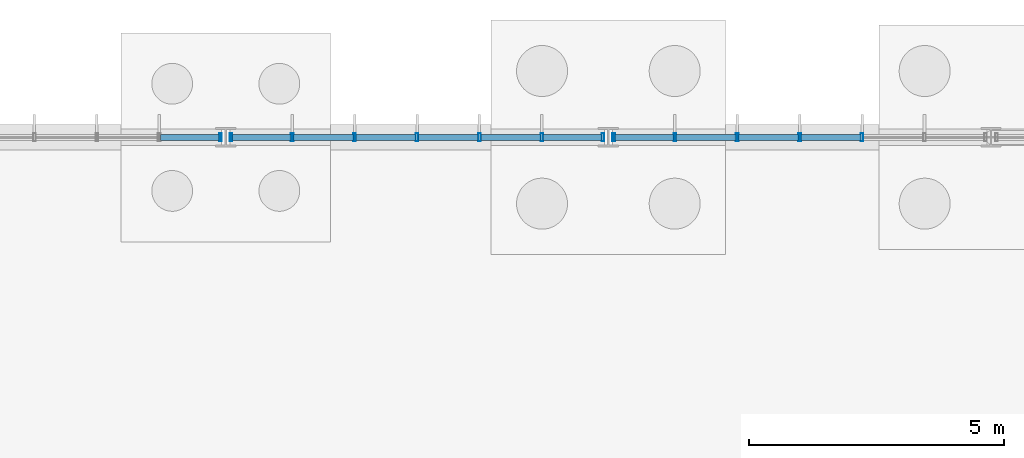
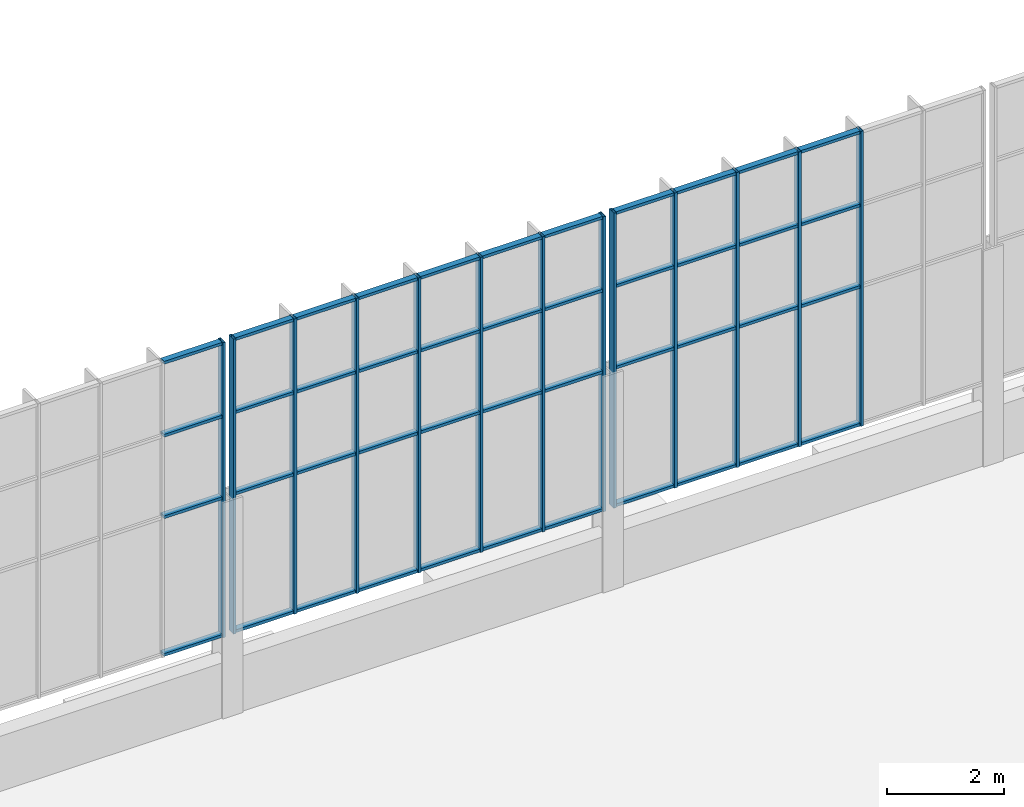
# One storey, part 79 of 136: 57 members, 3 elements without a shape of their own.
"""IFC4 building model written with IfcOpenShell, lengths in metres."""

from ifc_helpers import new_model, si_unit, direction, frame, origin, origin_2d, place, context, subcontext, project, spatial, hollow_rectangle, extrude, material, layer, layer_set, material_profile, profile_set, type_object, element, aggregate, save


model = new_model("IFC4")

# Units and contexts
model_context = context("Model", 3, precision=1e-05, world=origin(), true_north=direction((0.0, 1.0)))
body_context = subcontext(model_context, "Body", "Model", "MODEL_VIEW")
ifc_project = project(units=[si_unit("LENGTHUNIT", "METRE"), si_unit("AREAUNIT", "SQUARE_METRE"), si_unit("VOLUMEUNIT", "CUBIC_METRE"), si_unit("PLANEANGLEUNIT", "RADIAN"), si_unit("MASSUNIT", "GRAM", prefix="KILO")], contexts=[model_context])

# Site, building, storey
site_placement = place(None, origin())
site = spatial("IfcSite", under=ifc_project, at=site_placement, CompositionType="ELEMENT")
building_placement = place(site_placement, origin())
building = spatial("IfcBuilding", under=site, at=building_placement, Name="Solvenia Promenade Tram Depot", CompositionType="ELEMENT")
storey_placement = place(building_placement, origin())
storey = spatial("IfcBuildingStorey", under=building, at=storey_placement, Name="L00", CompositionType="ELEMENT", Elevation=0.0)

# Curtain wall, member
ifc_material = material(Name="Anodized aluminium AW-6063 T6", Category="aluminium")
ifc_layer = layer(ifc_material, 0.159912109375, Name="Anodized aluminium AW-6063 T6", Category="aluminium")
ifc_layer_set = layer_set([ifc_layer], Name="Anodized aluminium AW-6063 T6")
curtain_wall_type = type_object("IfcCurtainWallType", Name="CW-Channel-1200", PredefinedType="NOTDEFINED", material=ifc_layer_set)
curtain_wall_1_placement = place(storey_placement, origin())
curtain_wall_1 = element("IfcCurtainWall", 1, at=curtain_wall_1_placement, inside=storey, type_object=curtain_wall_type, Name="North Translucent Channel-Glass Wall 17", PredefinedType="NOTDEFINED")
ifc_material_profile_1 = material_profile(ifc_material, hollow_rectangle(XDim=0.159912109375, YDim=0.052001953125, WallThickness=0.00390625, at=origin_2d()), Name="ALU-M1", Category="aluminium")
ifc_profile_set_1 = profile_set([ifc_material_profile_1], Name="Anodized aluminium AW-6063 T6")
member_type_1 = type_object("IfcMemberType", Name="CWM-Mullion-1", PredefinedType="MULLION", material=ifc_profile_set_1)
member_1_placement = place(storey_placement, frame((127.39404296875, 126.0, 1.60009765625), z_axis=(0.0, 0.0, 1.0), x_axis=(0.0, 1.0, 0.0)))
member_1 = element("IfcMember", 2, at=member_1_placement, type_object=member_type_1, Name="CW-1 mullion 7", PredefinedType="MULLION", context=body_context, shape_type="SweptSolid", body=[
    extrude(hollow_rectangle(XDim=0.159912109375, YDim=0.052001953125, WallThickness=0.00390625, at=origin_2d()), origin(), (0.0, 0.0, 1.0), 6.14990234375),
])

# Curtain wall, members
curtain_wall_2_placement = place(storey_placement, origin())
curtain_wall_2 = element("IfcCurtainWall", 3, at=curtain_wall_2_placement, inside=storey, type_object=curtain_wall_type, Name="North Translucent Channel-Glass Wall 18", PredefinedType="NOTDEFINED")
member_2_placement = place(storey_placement, frame((127.60595703125, 126.0, 1.60009765625), z_axis=(0.0, 0.0, 1.0), x_axis=(0.0, 1.0, 0.0)))
member_2 = element("IfcMember", 4, at=member_2_placement, type_object=member_type_1, Name="CW-1 mullion 1", PredefinedType="MULLION", context=body_context, shape_type="SweptSolid", body=[
    extrude(hollow_rectangle(XDim=0.159912109375, YDim=0.052001953125, WallThickness=0.00390625, at=origin_2d()), origin(), (0.0, 0.0, 1.0), 6.14990234375),
])
member_3_placement = place(storey_placement, frame((128.80322265625, 126.0, 1.60009765625), z_axis=(0.0, 0.0, 1.0), x_axis=(0.0, 1.0, 0.0)))
member_3 = element("IfcMember", 5, at=member_3_placement, type_object=member_type_1, Name="CW-1 mullion 2", PredefinedType="MULLION", context=body_context, shape_type="SweptSolid", body=[
    extrude(hollow_rectangle(XDim=0.159912109375, YDim=0.052001953125, WallThickness=0.00390625, at=origin_2d()), origin(), (0.0, 0.0, 1.0), 6.14990234375),
])
member_4_placement = place(storey_placement, frame((130.026611328125, 126.0, 1.60009765625), z_axis=(0.0, 0.0, 1.0), x_axis=(0.0, 1.0, 0.0)))
member_4 = element("IfcMember", 6, at=member_4_placement, type_object=member_type_1, Name="CW-1 mullion 3", PredefinedType="MULLION", context=body_context, shape_type="SweptSolid", body=[
    extrude(hollow_rectangle(XDim=0.159912109375, YDim=0.052001953125, WallThickness=0.00390625, at=origin_2d()), origin(), (0.0, 0.0, 1.0), 6.14990234375),
])
member_5_placement = place(storey_placement, frame((131.25, 126.0, 1.60009765625), z_axis=(0.0, 0.0, 1.0), x_axis=(0.0, 1.0, 0.0)))
member_5 = element("IfcMember", 7, at=member_5_placement, type_object=member_type_1, Name="CW-1 mullion 4", PredefinedType="MULLION", context=body_context, shape_type="SweptSolid", body=[
    extrude(hollow_rectangle(XDim=0.159912109375, YDim=0.052001953125, WallThickness=0.00390625, at=origin_2d()), origin(), (0.0, 0.0, 1.0), 6.14990234375),
])
member_6_placement = place(storey_placement, frame((132.473388671875, 126.0, 1.60009765625), z_axis=(0.0, 0.0, 1.0), x_axis=(0.0, 1.0, 0.0)))
member_6 = element("IfcMember", 8, at=member_6_placement, type_object=member_type_1, Name="CW-1 mullion 5", PredefinedType="MULLION", context=body_context, shape_type="SweptSolid", body=[
    extrude(hollow_rectangle(XDim=0.159912109375, YDim=0.052001953125, WallThickness=0.00390625, at=origin_2d()), origin(), (0.0, 0.0, 1.0), 6.14990234375),
])
member_7_placement = place(storey_placement, frame((133.69677734375, 126.0, 1.60009765625), z_axis=(0.0, 0.0, 1.0), x_axis=(0.0, 1.0, 0.0)))
member_7 = element("IfcMember", 9, at=member_7_placement, type_object=member_type_1, Name="CW-1 mullion 6", PredefinedType="MULLION", context=body_context, shape_type="SweptSolid", body=[
    extrude(hollow_rectangle(XDim=0.159912109375, YDim=0.052001953125, WallThickness=0.00390625, at=origin_2d()), origin(), (0.0, 0.0, 1.0), 6.14990234375),
])
member_8_placement = place(storey_placement, frame((134.89404296875, 126.0, 1.60009765625), z_axis=(0.0, 0.0, 1.0), x_axis=(0.0, 1.0, 0.0)))
member_8 = element("IfcMember", 10, at=member_8_placement, type_object=member_type_1, Name="CW-1 mullion 7", PredefinedType="MULLION", context=body_context, shape_type="SweptSolid", body=[
    extrude(hollow_rectangle(XDim=0.159912109375, YDim=0.052001953125, WallThickness=0.00390625, at=origin_2d()), origin(), (0.0, 0.0, 1.0), 6.14990234375),
])

curtain_wall_3_placement = place(storey_placement, origin())
curtain_wall_3 = element("IfcCurtainWall", 11, at=curtain_wall_3_placement, inside=storey, type_object=curtain_wall_type, Name="North Translucent Channel-Glass Wall 19", PredefinedType="NOTDEFINED")
member_9_placement = place(storey_placement, frame((135.10595703125, 126.0, 1.60009765625), z_axis=(0.0, 0.0, 1.0), x_axis=(0.0, 1.0, 0.0)))
member_9 = element("IfcMember", 12, at=member_9_placement, type_object=member_type_1, Name="CW-1 mullion 1", PredefinedType="MULLION", context=body_context, shape_type="SweptSolid", body=[
    extrude(hollow_rectangle(XDim=0.159912109375, YDim=0.052001953125, WallThickness=0.00390625, at=origin_2d()), origin(), (0.0, 0.0, 1.0), 6.14990234375),
])
member_10_placement = place(storey_placement, frame((136.30322265625, 126.0, 1.60009765625), z_axis=(0.0, 0.0, 1.0), x_axis=(0.0, 1.0, 0.0)))
member_10 = element("IfcMember", 13, at=member_10_placement, type_object=member_type_1, Name="CW-1 mullion 2", PredefinedType="MULLION", context=body_context, shape_type="SweptSolid", body=[
    extrude(hollow_rectangle(XDim=0.159912109375, YDim=0.052001953125, WallThickness=0.00390625, at=origin_2d()), origin(), (0.0, 0.0, 1.0), 6.14990234375),
])
member_11_placement = place(storey_placement, frame((137.526611328125, 126.0, 1.60009765625), z_axis=(0.0, 0.0, 1.0), x_axis=(0.0, 1.0, 0.0)))
member_11 = element("IfcMember", 14, at=member_11_placement, type_object=member_type_1, Name="CW-1 mullion 3", PredefinedType="MULLION", context=body_context, shape_type="SweptSolid", body=[
    extrude(hollow_rectangle(XDim=0.159912109375, YDim=0.052001953125, WallThickness=0.00390625, at=origin_2d()), origin(), (0.0, 0.0, 1.0), 6.14990234375),
])
member_12_placement = place(storey_placement, frame((138.75, 126.0, 1.60009765625), z_axis=(0.0, 0.0, 1.0), x_axis=(0.0, 1.0, 0.0)))
member_12 = element("IfcMember", 15, at=member_12_placement, type_object=member_type_1, Name="CW-1 mullion 4", PredefinedType="MULLION", context=body_context, shape_type="SweptSolid", body=[
    extrude(hollow_rectangle(XDim=0.159912109375, YDim=0.052001953125, WallThickness=0.00390625, at=origin_2d()), origin(), (0.0, 0.0, 1.0), 6.14990234375),
])
member_13_placement = place(storey_placement, frame((139.973388671875, 126.0, 1.60009765625), z_axis=(0.0, 0.0, 1.0), x_axis=(0.0, 1.0, 0.0)))
member_13 = element("IfcMember", 16, at=member_13_placement, type_object=member_type_1, Name="CW-1 mullion 5", PredefinedType="MULLION", context=body_context, shape_type="SweptSolid", body=[
    extrude(hollow_rectangle(XDim=0.159912109375, YDim=0.052001953125, WallThickness=0.00390625, at=origin_2d()), origin(), (0.0, 0.0, 1.0), 6.14990234375),
])

# Member
ifc_material_profile_2 = material_profile(ifc_material, hollow_rectangle(XDim=0.1201171875, YDim=0.06005859375, WallThickness=0.00390625, at=origin_2d()), Name="ALU-T1", Category="aluminium")
ifc_profile_set_2 = profile_set([ifc_material_profile_2], Name="Anodized aluminium AW-6063 T6")
member_type_2 = type_object("IfcMemberType", Name="CWT-Transom-1", PredefinedType="USERDEFINED", material=ifc_profile_set_2)
member_14_placement = place(storey_placement, frame((126.22265625, 126.0, 1.6298828125), z_axis=(1.0, 0.0, 0.0), x_axis=(0.0, 1.0, 0.0)))
member_14 = element("IfcMember", 17, at=member_14_placement, type_object=member_type_2, Name="CW-1 transom 6.1", ObjectType="TRANSOM", PredefinedType="USERDEFINED", context=body_context, shape_type="SweptSolid", body=[
    extrude(hollow_rectangle(XDim=0.1201171875, YDim=0.06005859375, WallThickness=0.00390625, at=origin_2d()), origin(), (0.0, 0.0, 1.0), 1.145263671875),
])

member_15_placement = place(storey_placement, frame((126.22265625, 126.0, 4.5), z_axis=(1.0, 0.0, 0.0), x_axis=(0.0, 1.0, 0.0)))
member_15 = element("IfcMember", 18, at=member_15_placement, type_object=member_type_2, Name="CW-1 transom 6.2", ObjectType="TRANSOM", PredefinedType="USERDEFINED", context=body_context, shape_type="SweptSolid", body=[
    extrude(hollow_rectangle(XDim=0.1201171875, YDim=0.06005859375, WallThickness=0.00390625, at=origin_2d()), origin(), (0.0, 0.0, 1.0), 1.145263671875),
])

member_16_placement = place(storey_placement, frame((126.22265625, 126.0, 6.199951171875), z_axis=(1.0, 0.0, 0.0), x_axis=(0.0, 1.0, 0.0)))
member_16 = element("IfcMember", 19, at=member_16_placement, type_object=member_type_2, Name="CW-1 transom 6.3", ObjectType="TRANSOM", PredefinedType="USERDEFINED", context=body_context, shape_type="SweptSolid", body=[
    extrude(hollow_rectangle(XDim=0.1201171875, YDim=0.06005859375, WallThickness=0.00390625, at=origin_2d()), origin(), (0.0, 0.0, 1.0), 1.145263671875),
])

member_17_placement = place(storey_placement, frame((126.22265625, 126.0, 7.719970703125), z_axis=(1.0, 0.0, 0.0), x_axis=(0.0, 1.0, 0.0)))
member_17 = element("IfcMember", 20, at=member_17_placement, type_object=member_type_2, Name="CW-1 transom 6.4", ObjectType="TRANSOM", PredefinedType="USERDEFINED", context=body_context, shape_type="SweptSolid", body=[
    extrude(hollow_rectangle(XDim=0.1201171875, YDim=0.06005859375, WallThickness=0.00390625, at=origin_2d()), origin(), (0.0, 0.0, 1.0), 1.145263671875),
])

aggregate(curtain_wall_1, [member_1, member_14, member_15, member_16, member_17])

member_18_placement = place(storey_placement, frame((127.632080078125, 126.0, 1.6298828125), z_axis=(1.0, 0.0, 0.0), x_axis=(0.0, 1.0, 0.0)))
member_18 = element("IfcMember", 21, at=member_18_placement, type_object=member_type_2, Name="CW-1 transom 1.1", ObjectType="TRANSOM", PredefinedType="USERDEFINED", context=body_context, shape_type="SweptSolid", body=[
    extrude(hollow_rectangle(XDim=0.1201171875, YDim=0.06005859375, WallThickness=0.00390625, at=origin_2d()), origin(), (0.0, 0.0, 1.0), 1.145263671875),
])

member_19_placement = place(storey_placement, frame((127.632080078125, 126.0, 4.5), z_axis=(1.0, 0.0, 0.0), x_axis=(0.0, 1.0, 0.0)))
member_19 = element("IfcMember", 22, at=member_19_placement, type_object=member_type_2, Name="CW-1 transom 1.2", ObjectType="TRANSOM", PredefinedType="USERDEFINED", context=body_context, shape_type="SweptSolid", body=[
    extrude(hollow_rectangle(XDim=0.1201171875, YDim=0.06005859375, WallThickness=0.00390625, at=origin_2d()), origin(), (0.0, 0.0, 1.0), 1.145263671875),
])

member_20_placement = place(storey_placement, frame((127.632080078125, 126.0, 6.199951171875), z_axis=(1.0, 0.0, 0.0), x_axis=(0.0, 1.0, 0.0)))
member_20 = element("IfcMember", 23, at=member_20_placement, type_object=member_type_2, Name="CW-1 transom 1.3", ObjectType="TRANSOM", PredefinedType="USERDEFINED", context=body_context, shape_type="SweptSolid", body=[
    extrude(hollow_rectangle(XDim=0.1201171875, YDim=0.06005859375, WallThickness=0.00390625, at=origin_2d()), origin(), (0.0, 0.0, 1.0), 1.145263671875),
])

member_21_placement = place(storey_placement, frame((127.632080078125, 126.0, 7.719970703125), z_axis=(1.0, 0.0, 0.0), x_axis=(0.0, 1.0, 0.0)))
member_21 = element("IfcMember", 24, at=member_21_placement, type_object=member_type_2, Name="CW-1 transom 1.4", ObjectType="TRANSOM", PredefinedType="USERDEFINED", context=body_context, shape_type="SweptSolid", body=[
    extrude(hollow_rectangle(XDim=0.1201171875, YDim=0.06005859375, WallThickness=0.00390625, at=origin_2d()), origin(), (0.0, 0.0, 1.0), 1.145263671875),
])

member_22_placement = place(storey_placement, frame((128.829345703125, 126.0, 1.6298828125), z_axis=(1.0, 0.0, 0.0), x_axis=(0.0, 1.0, 0.0)))
member_22 = element("IfcMember", 25, at=member_22_placement, type_object=member_type_2, Name="CW-1 transom 2.1", ObjectType="TRANSOM", PredefinedType="USERDEFINED", context=body_context, shape_type="SweptSolid", body=[
    extrude(hollow_rectangle(XDim=0.1201171875, YDim=0.06005859375, WallThickness=0.00390625, at=origin_2d()), origin(), (0.0, 0.0, 1.0), 1.17138671875),
])

member_23_placement = place(storey_placement, frame((128.829345703125, 126.0, 4.5), z_axis=(1.0, 0.0, 0.0), x_axis=(0.0, 1.0, 0.0)))
member_23 = element("IfcMember", 26, at=member_23_placement, type_object=member_type_2, Name="CW-1 transom 2.2", ObjectType="TRANSOM", PredefinedType="USERDEFINED", context=body_context, shape_type="SweptSolid", body=[
    extrude(hollow_rectangle(XDim=0.1201171875, YDim=0.06005859375, WallThickness=0.00390625, at=origin_2d()), origin(), (0.0, 0.0, 1.0), 1.17138671875),
])

member_24_placement = place(storey_placement, frame((128.829345703125, 126.0, 6.199951171875), z_axis=(1.0, 0.0, 0.0), x_axis=(0.0, 1.0, 0.0)))
member_24 = element("IfcMember", 27, at=member_24_placement, type_object=member_type_2, Name="CW-1 transom 2.3", ObjectType="TRANSOM", PredefinedType="USERDEFINED", context=body_context, shape_type="SweptSolid", body=[
    extrude(hollow_rectangle(XDim=0.1201171875, YDim=0.06005859375, WallThickness=0.00390625, at=origin_2d()), origin(), (0.0, 0.0, 1.0), 1.17138671875),
])

member_25_placement = place(storey_placement, frame((128.829345703125, 126.0, 7.719970703125), z_axis=(1.0, 0.0, 0.0), x_axis=(0.0, 1.0, 0.0)))
member_25 = element("IfcMember", 28, at=member_25_placement, type_object=member_type_2, Name="CW-1 transom 2.4", ObjectType="TRANSOM", PredefinedType="USERDEFINED", context=body_context, shape_type="SweptSolid", body=[
    extrude(hollow_rectangle(XDim=0.1201171875, YDim=0.06005859375, WallThickness=0.00390625, at=origin_2d()), origin(), (0.0, 0.0, 1.0), 1.17138671875),
])

member_26_placement = place(storey_placement, frame((130.052734375, 126.0, 1.6298828125), z_axis=(1.0, 0.0, 0.0), x_axis=(0.0, 1.0, 0.0)))
member_26 = element("IfcMember", 29, at=member_26_placement, type_object=member_type_2, Name="CW-1 transom 3.1", ObjectType="TRANSOM", PredefinedType="USERDEFINED", context=body_context, shape_type="SweptSolid", body=[
    extrude(hollow_rectangle(XDim=0.1201171875, YDim=0.06005859375, WallThickness=0.00390625, at=origin_2d()), origin(), (0.0, 0.0, 1.0), 1.17138671875),
])

member_27_placement = place(storey_placement, frame((130.052734375, 126.0, 4.5), z_axis=(1.0, 0.0, 0.0), x_axis=(0.0, 1.0, 0.0)))
member_27 = element("IfcMember", 30, at=member_27_placement, type_object=member_type_2, Name="CW-1 transom 3.2", ObjectType="TRANSOM", PredefinedType="USERDEFINED", context=body_context, shape_type="SweptSolid", body=[
    extrude(hollow_rectangle(XDim=0.1201171875, YDim=0.06005859375, WallThickness=0.00390625, at=origin_2d()), origin(), (0.0, 0.0, 1.0), 1.17138671875),
])

member_28_placement = place(storey_placement, frame((130.052734375, 126.0, 6.199951171875), z_axis=(1.0, 0.0, 0.0), x_axis=(0.0, 1.0, 0.0)))
member_28 = element("IfcMember", 31, at=member_28_placement, type_object=member_type_2, Name="CW-1 transom 3.3", ObjectType="TRANSOM", PredefinedType="USERDEFINED", context=body_context, shape_type="SweptSolid", body=[
    extrude(hollow_rectangle(XDim=0.1201171875, YDim=0.06005859375, WallThickness=0.00390625, at=origin_2d()), origin(), (0.0, 0.0, 1.0), 1.17138671875),
])

member_29_placement = place(storey_placement, frame((130.052734375, 126.0, 7.719970703125), z_axis=(1.0, 0.0, 0.0), x_axis=(0.0, 1.0, 0.0)))
member_29 = element("IfcMember", 32, at=member_29_placement, type_object=member_type_2, Name="CW-1 transom 3.4", ObjectType="TRANSOM", PredefinedType="USERDEFINED", context=body_context, shape_type="SweptSolid", body=[
    extrude(hollow_rectangle(XDim=0.1201171875, YDim=0.06005859375, WallThickness=0.00390625, at=origin_2d()), origin(), (0.0, 0.0, 1.0), 1.17138671875),
])

member_30_placement = place(storey_placement, frame((131.27587890625, 126.0, 1.6298828125), z_axis=(1.0, 0.0, 0.0), x_axis=(0.0, 1.0, 0.0)))
member_30 = element("IfcMember", 33, at=member_30_placement, type_object=member_type_2, Name="CW-1 transom 4.1", ObjectType="TRANSOM", PredefinedType="USERDEFINED", context=body_context, shape_type="SweptSolid", body=[
    extrude(hollow_rectangle(XDim=0.1201171875, YDim=0.06005859375, WallThickness=0.00390625, at=origin_2d()), origin(), (0.0, 0.0, 1.0), 1.17138671875),
])

member_31_placement = place(storey_placement, frame((131.27587890625, 126.0, 4.5), z_axis=(1.0, 0.0, 0.0), x_axis=(0.0, 1.0, 0.0)))
member_31 = element("IfcMember", 34, at=member_31_placement, type_object=member_type_2, Name="CW-1 transom 4.2", ObjectType="TRANSOM", PredefinedType="USERDEFINED", context=body_context, shape_type="SweptSolid", body=[
    extrude(hollow_rectangle(XDim=0.1201171875, YDim=0.06005859375, WallThickness=0.00390625, at=origin_2d()), origin(), (0.0, 0.0, 1.0), 1.17138671875),
])

member_32_placement = place(storey_placement, frame((131.27587890625, 126.0, 6.199951171875), z_axis=(1.0, 0.0, 0.0), x_axis=(0.0, 1.0, 0.0)))
member_32 = element("IfcMember", 35, at=member_32_placement, type_object=member_type_2, Name="CW-1 transom 4.3", ObjectType="TRANSOM", PredefinedType="USERDEFINED", context=body_context, shape_type="SweptSolid", body=[
    extrude(hollow_rectangle(XDim=0.1201171875, YDim=0.06005859375, WallThickness=0.00390625, at=origin_2d()), origin(), (0.0, 0.0, 1.0), 1.17138671875),
])

member_33_placement = place(storey_placement, frame((131.27587890625, 126.0, 7.719970703125), z_axis=(1.0, 0.0, 0.0), x_axis=(0.0, 1.0, 0.0)))
member_33 = element("IfcMember", 36, at=member_33_placement, type_object=member_type_2, Name="CW-1 transom 4.4", ObjectType="TRANSOM", PredefinedType="USERDEFINED", context=body_context, shape_type="SweptSolid", body=[
    extrude(hollow_rectangle(XDim=0.1201171875, YDim=0.06005859375, WallThickness=0.00390625, at=origin_2d()), origin(), (0.0, 0.0, 1.0), 1.17138671875),
])

member_34_placement = place(storey_placement, frame((132.499267578125, 126.0, 1.6298828125), z_axis=(1.0, 0.0, 0.0), x_axis=(0.0, 1.0, 0.0)))
member_34 = element("IfcMember", 37, at=member_34_placement, type_object=member_type_2, Name="CW-1 transom 5.1", ObjectType="TRANSOM", PredefinedType="USERDEFINED", context=body_context, shape_type="SweptSolid", body=[
    extrude(hollow_rectangle(XDim=0.1201171875, YDim=0.06005859375, WallThickness=0.00390625, at=origin_2d()), origin(), (0.0, 0.0, 1.0), 1.17138671875),
])

member_35_placement = place(storey_placement, frame((132.499267578125, 126.0, 4.5), z_axis=(1.0, 0.0, 0.0), x_axis=(0.0, 1.0, 0.0)))
member_35 = element("IfcMember", 38, at=member_35_placement, type_object=member_type_2, Name="CW-1 transom 5.2", ObjectType="TRANSOM", PredefinedType="USERDEFINED", context=body_context, shape_type="SweptSolid", body=[
    extrude(hollow_rectangle(XDim=0.1201171875, YDim=0.06005859375, WallThickness=0.00390625, at=origin_2d()), origin(), (0.0, 0.0, 1.0), 1.17138671875),
])

member_36_placement = place(storey_placement, frame((132.499267578125, 126.0, 6.199951171875), z_axis=(1.0, 0.0, 0.0), x_axis=(0.0, 1.0, 0.0)))
member_36 = element("IfcMember", 39, at=member_36_placement, type_object=member_type_2, Name="CW-1 transom 5.3", ObjectType="TRANSOM", PredefinedType="USERDEFINED", context=body_context, shape_type="SweptSolid", body=[
    extrude(hollow_rectangle(XDim=0.1201171875, YDim=0.06005859375, WallThickness=0.00390625, at=origin_2d()), origin(), (0.0, 0.0, 1.0), 1.17138671875),
])

member_37_placement = place(storey_placement, frame((132.499267578125, 126.0, 7.719970703125), z_axis=(1.0, 0.0, 0.0), x_axis=(0.0, 1.0, 0.0)))
member_37 = element("IfcMember", 40, at=member_37_placement, type_object=member_type_2, Name="CW-1 transom 5.4", ObjectType="TRANSOM", PredefinedType="USERDEFINED", context=body_context, shape_type="SweptSolid", body=[
    extrude(hollow_rectangle(XDim=0.1201171875, YDim=0.06005859375, WallThickness=0.00390625, at=origin_2d()), origin(), (0.0, 0.0, 1.0), 1.17138671875),
])

member_38_placement = place(storey_placement, frame((133.72265625, 126.0, 1.6298828125), z_axis=(1.0, 0.0, 0.0), x_axis=(0.0, 1.0, 0.0)))
member_38 = element("IfcMember", 41, at=member_38_placement, type_object=member_type_2, Name="CW-1 transom 6.1", ObjectType="TRANSOM", PredefinedType="USERDEFINED", context=body_context, shape_type="SweptSolid", body=[
    extrude(hollow_rectangle(XDim=0.1201171875, YDim=0.06005859375, WallThickness=0.00390625, at=origin_2d()), origin(), (0.0, 0.0, 1.0), 1.145263671875),
])

member_39_placement = place(storey_placement, frame((133.72265625, 126.0, 4.5), z_axis=(1.0, 0.0, 0.0), x_axis=(0.0, 1.0, 0.0)))
member_39 = element("IfcMember", 42, at=member_39_placement, type_object=member_type_2, Name="CW-1 transom 6.2", ObjectType="TRANSOM", PredefinedType="USERDEFINED", context=body_context, shape_type="SweptSolid", body=[
    extrude(hollow_rectangle(XDim=0.1201171875, YDim=0.06005859375, WallThickness=0.00390625, at=origin_2d()), origin(), (0.0, 0.0, 1.0), 1.145263671875),
])

member_40_placement = place(storey_placement, frame((133.72265625, 126.0, 6.199951171875), z_axis=(1.0, 0.0, 0.0), x_axis=(0.0, 1.0, 0.0)))
member_40 = element("IfcMember", 43, at=member_40_placement, type_object=member_type_2, Name="CW-1 transom 6.3", ObjectType="TRANSOM", PredefinedType="USERDEFINED", context=body_context, shape_type="SweptSolid", body=[
    extrude(hollow_rectangle(XDim=0.1201171875, YDim=0.06005859375, WallThickness=0.00390625, at=origin_2d()), origin(), (0.0, 0.0, 1.0), 1.145263671875),
])

member_41_placement = place(storey_placement, frame((133.72265625, 126.0, 7.719970703125), z_axis=(1.0, 0.0, 0.0), x_axis=(0.0, 1.0, 0.0)))
member_41 = element("IfcMember", 44, at=member_41_placement, type_object=member_type_2, Name="CW-1 transom 6.4", ObjectType="TRANSOM", PredefinedType="USERDEFINED", context=body_context, shape_type="SweptSolid", body=[
    extrude(hollow_rectangle(XDim=0.1201171875, YDim=0.06005859375, WallThickness=0.00390625, at=origin_2d()), origin(), (0.0, 0.0, 1.0), 1.145263671875),
])

aggregate(curtain_wall_2, [member_2, member_3, member_4, member_5, member_6, member_7, member_8, member_18, member_19, member_20, member_21, member_22, member_23, member_24, member_25, member_26, member_27, member_28, member_29, member_30, member_31, member_32, member_33, member_34, member_35, member_36, member_37, member_38, member_39, member_40, member_41])

member_42_placement = place(storey_placement, frame((135.132080078125, 126.0, 1.6298828125), z_axis=(1.0, 0.0, 0.0), x_axis=(0.0, 1.0, 0.0)))
member_42 = element("IfcMember", 45, at=member_42_placement, type_object=member_type_2, Name="CW-1 transom 1.1", ObjectType="TRANSOM", PredefinedType="USERDEFINED", context=body_context, shape_type="SweptSolid", body=[
    extrude(hollow_rectangle(XDim=0.1201171875, YDim=0.06005859375, WallThickness=0.00390625, at=origin_2d()), origin(), (0.0, 0.0, 1.0), 1.145263671875),
])

member_43_placement = place(storey_placement, frame((135.132080078125, 126.0, 4.5), z_axis=(1.0, 0.0, 0.0), x_axis=(0.0, 1.0, 0.0)))
member_43 = element("IfcMember", 46, at=member_43_placement, type_object=member_type_2, Name="CW-1 transom 1.2", ObjectType="TRANSOM", PredefinedType="USERDEFINED", context=body_context, shape_type="SweptSolid", body=[
    extrude(hollow_rectangle(XDim=0.1201171875, YDim=0.06005859375, WallThickness=0.00390625, at=origin_2d()), origin(), (0.0, 0.0, 1.0), 1.145263671875),
])

member_44_placement = place(storey_placement, frame((135.132080078125, 126.0, 6.199951171875), z_axis=(1.0, 0.0, 0.0), x_axis=(0.0, 1.0, 0.0)))
member_44 = element("IfcMember", 47, at=member_44_placement, type_object=member_type_2, Name="CW-1 transom 1.3", ObjectType="TRANSOM", PredefinedType="USERDEFINED", context=body_context, shape_type="SweptSolid", body=[
    extrude(hollow_rectangle(XDim=0.1201171875, YDim=0.06005859375, WallThickness=0.00390625, at=origin_2d()), origin(), (0.0, 0.0, 1.0), 1.145263671875),
])

member_45_placement = place(storey_placement, frame((135.132080078125, 126.0, 7.719970703125), z_axis=(1.0, 0.0, 0.0), x_axis=(0.0, 1.0, 0.0)))
member_45 = element("IfcMember", 48, at=member_45_placement, type_object=member_type_2, Name="CW-1 transom 1.4", ObjectType="TRANSOM", PredefinedType="USERDEFINED", context=body_context, shape_type="SweptSolid", body=[
    extrude(hollow_rectangle(XDim=0.1201171875, YDim=0.06005859375, WallThickness=0.00390625, at=origin_2d()), origin(), (0.0, 0.0, 1.0), 1.145263671875),
])

member_46_placement = place(storey_placement, frame((136.329345703125, 126.0, 1.6298828125), z_axis=(1.0, 0.0, 0.0), x_axis=(0.0, 1.0, 0.0)))
member_46 = element("IfcMember", 49, at=member_46_placement, type_object=member_type_2, Name="CW-1 transom 2.1", ObjectType="TRANSOM", PredefinedType="USERDEFINED", context=body_context, shape_type="SweptSolid", body=[
    extrude(hollow_rectangle(XDim=0.1201171875, YDim=0.06005859375, WallThickness=0.00390625, at=origin_2d()), origin(), (0.0, 0.0, 1.0), 1.17138671875),
])

member_47_placement = place(storey_placement, frame((136.329345703125, 126.0, 4.5), z_axis=(1.0, 0.0, 0.0), x_axis=(0.0, 1.0, 0.0)))
member_47 = element("IfcMember", 50, at=member_47_placement, type_object=member_type_2, Name="CW-1 transom 2.2", ObjectType="TRANSOM", PredefinedType="USERDEFINED", context=body_context, shape_type="SweptSolid", body=[
    extrude(hollow_rectangle(XDim=0.1201171875, YDim=0.06005859375, WallThickness=0.00390625, at=origin_2d()), origin(), (0.0, 0.0, 1.0), 1.17138671875),
])

member_48_placement = place(storey_placement, frame((136.329345703125, 126.0, 6.199951171875), z_axis=(1.0, 0.0, 0.0), x_axis=(0.0, 1.0, 0.0)))
member_48 = element("IfcMember", 51, at=member_48_placement, type_object=member_type_2, Name="CW-1 transom 2.3", ObjectType="TRANSOM", PredefinedType="USERDEFINED", context=body_context, shape_type="SweptSolid", body=[
    extrude(hollow_rectangle(XDim=0.1201171875, YDim=0.06005859375, WallThickness=0.00390625, at=origin_2d()), origin(), (0.0, 0.0, 1.0), 1.17138671875),
])

member_49_placement = place(storey_placement, frame((136.329345703125, 126.0, 7.719970703125), z_axis=(1.0, 0.0, 0.0), x_axis=(0.0, 1.0, 0.0)))
member_49 = element("IfcMember", 52, at=member_49_placement, type_object=member_type_2, Name="CW-1 transom 2.4", ObjectType="TRANSOM", PredefinedType="USERDEFINED", context=body_context, shape_type="SweptSolid", body=[
    extrude(hollow_rectangle(XDim=0.1201171875, YDim=0.06005859375, WallThickness=0.00390625, at=origin_2d()), origin(), (0.0, 0.0, 1.0), 1.17138671875),
])

member_50_placement = place(storey_placement, frame((137.552734375, 126.0, 1.6298828125), z_axis=(1.0, 0.0, 0.0), x_axis=(0.0, 1.0, 0.0)))
member_50 = element("IfcMember", 53, at=member_50_placement, type_object=member_type_2, Name="CW-1 transom 3.1", ObjectType="TRANSOM", PredefinedType="USERDEFINED", context=body_context, shape_type="SweptSolid", body=[
    extrude(hollow_rectangle(XDim=0.1201171875, YDim=0.06005859375, WallThickness=0.00390625, at=origin_2d()), origin(), (0.0, 0.0, 1.0), 1.17138671875),
])

member_51_placement = place(storey_placement, frame((137.552734375, 126.0, 4.5), z_axis=(1.0, 0.0, 0.0), x_axis=(0.0, 1.0, 0.0)))
member_51 = element("IfcMember", 54, at=member_51_placement, type_object=member_type_2, Name="CW-1 transom 3.2", ObjectType="TRANSOM", PredefinedType="USERDEFINED", context=body_context, shape_type="SweptSolid", body=[
    extrude(hollow_rectangle(XDim=0.1201171875, YDim=0.06005859375, WallThickness=0.00390625, at=origin_2d()), origin(), (0.0, 0.0, 1.0), 1.17138671875),
])

member_52_placement = place(storey_placement, frame((137.552734375, 126.0, 6.199951171875), z_axis=(1.0, 0.0, 0.0), x_axis=(0.0, 1.0, 0.0)))
member_52 = element("IfcMember", 55, at=member_52_placement, type_object=member_type_2, Name="CW-1 transom 3.3", ObjectType="TRANSOM", PredefinedType="USERDEFINED", context=body_context, shape_type="SweptSolid", body=[
    extrude(hollow_rectangle(XDim=0.1201171875, YDim=0.06005859375, WallThickness=0.00390625, at=origin_2d()), origin(), (0.0, 0.0, 1.0), 1.17138671875),
])

member_53_placement = place(storey_placement, frame((137.552734375, 126.0, 7.719970703125), z_axis=(1.0, 0.0, 0.0), x_axis=(0.0, 1.0, 0.0)))
member_53 = element("IfcMember", 56, at=member_53_placement, type_object=member_type_2, Name="CW-1 transom 3.4", ObjectType="TRANSOM", PredefinedType="USERDEFINED", context=body_context, shape_type="SweptSolid", body=[
    extrude(hollow_rectangle(XDim=0.1201171875, YDim=0.06005859375, WallThickness=0.00390625, at=origin_2d()), origin(), (0.0, 0.0, 1.0), 1.17138671875),
])

member_54_placement = place(storey_placement, frame((138.77587890625, 126.0, 1.6298828125), z_axis=(1.0, 0.0, 0.0), x_axis=(0.0, 1.0, 0.0)))
member_54 = element("IfcMember", 57, at=member_54_placement, type_object=member_type_2, Name="CW-1 transom 4.1", ObjectType="TRANSOM", PredefinedType="USERDEFINED", context=body_context, shape_type="SweptSolid", body=[
    extrude(hollow_rectangle(XDim=0.1201171875, YDim=0.06005859375, WallThickness=0.00390625, at=origin_2d()), origin(), (0.0, 0.0, 1.0), 1.17138671875),
])

member_55_placement = place(storey_placement, frame((138.77587890625, 126.0, 4.5), z_axis=(1.0, 0.0, 0.0), x_axis=(0.0, 1.0, 0.0)))
member_55 = element("IfcMember", 58, at=member_55_placement, type_object=member_type_2, Name="CW-1 transom 4.2", ObjectType="TRANSOM", PredefinedType="USERDEFINED", context=body_context, shape_type="SweptSolid", body=[
    extrude(hollow_rectangle(XDim=0.1201171875, YDim=0.06005859375, WallThickness=0.00390625, at=origin_2d()), origin(), (0.0, 0.0, 1.0), 1.17138671875),
])

member_56_placement = place(storey_placement, frame((138.77587890625, 126.0, 6.199951171875), z_axis=(1.0, 0.0, 0.0), x_axis=(0.0, 1.0, 0.0)))
member_56 = element("IfcMember", 59, at=member_56_placement, type_object=member_type_2, Name="CW-1 transom 4.3", ObjectType="TRANSOM", PredefinedType="USERDEFINED", context=body_context, shape_type="SweptSolid", body=[
    extrude(hollow_rectangle(XDim=0.1201171875, YDim=0.06005859375, WallThickness=0.00390625, at=origin_2d()), origin(), (0.0, 0.0, 1.0), 1.17138671875),
])

member_57_placement = place(storey_placement, frame((138.77587890625, 126.0, 7.719970703125), z_axis=(1.0, 0.0, 0.0), x_axis=(0.0, 1.0, 0.0)))
member_57 = element("IfcMember", 60, at=member_57_placement, type_object=member_type_2, Name="CW-1 transom 4.4", ObjectType="TRANSOM", PredefinedType="USERDEFINED", context=body_context, shape_type="SweptSolid", body=[
    extrude(hollow_rectangle(XDim=0.1201171875, YDim=0.06005859375, WallThickness=0.00390625, at=origin_2d()), origin(), (0.0, 0.0, 1.0), 1.17138671875),
])

aggregate(curtain_wall_3, [member_9, member_10, member_11, member_12, member_13, member_42, member_43, member_44, member_45, member_46, member_47, member_48, member_49, member_50, member_51, member_52, member_53, member_54, member_55, member_56, member_57])

save(model, "model.ifc")
